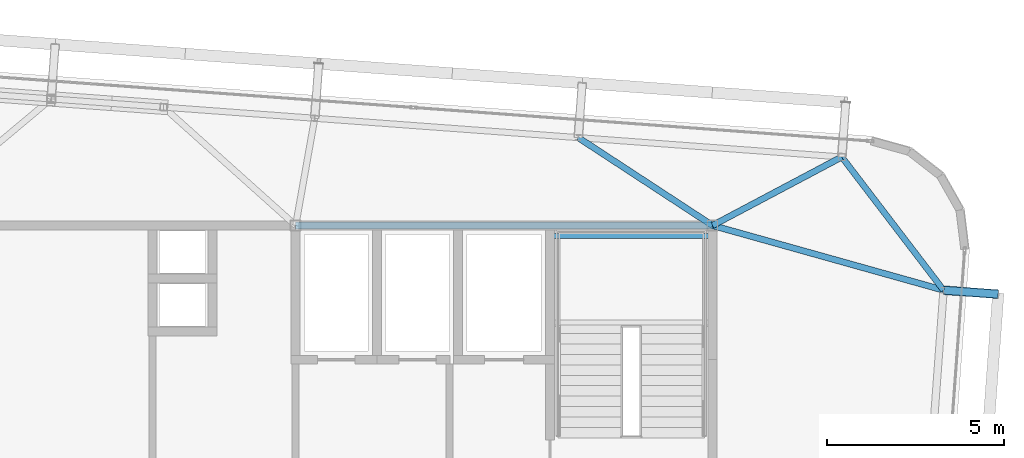
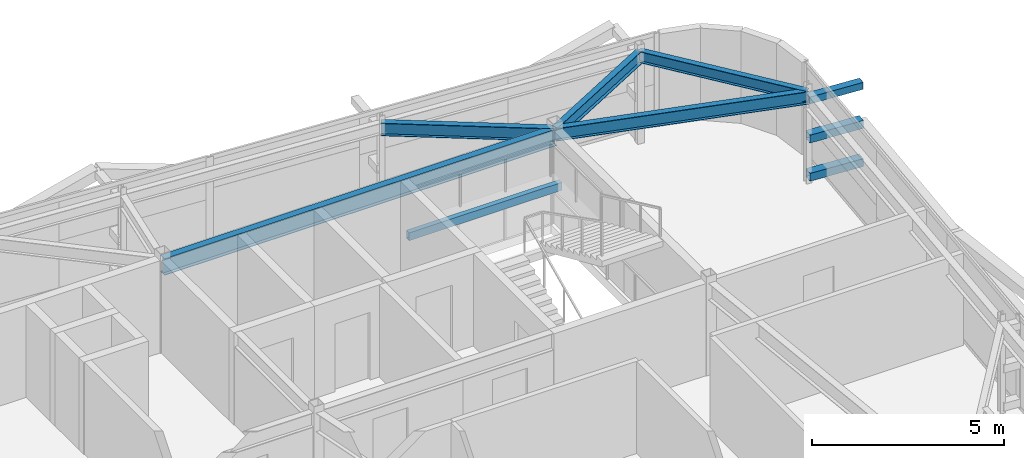
# One storey, part 18 of 35: 6 beams, 3 members.
"""IFC4 building model written with IfcOpenShell, lengths in metres."""

from ifc_helpers import new_model, si_unit, direction, frame, origin, origin_2d, place, context, subcontext, project, spatial, hollow_rectangle, i_section, extrude, source, transform, mapped, material, material_profile, profile_set, type_object, element, save


model = new_model("IFC4")

# Units and contexts
model_context = context("Model", 3, precision=1e-05, world=origin(), true_north=direction((0.0, 1.0)))
body_context = subcontext(model_context, "Body", "Model", "MODEL_VIEW")
ifc_project = project(units=[si_unit("LENGTHUNIT", "METRE"), si_unit("AREAUNIT", "SQUARE_METRE"), si_unit("VOLUMEUNIT", "CUBIC_METRE"), si_unit("PLANEANGLEUNIT", "RADIAN"), si_unit("MASSUNIT", "GRAM", prefix="KILO")], contexts=[model_context])

# Site, building, storey
site_placement = place(None, origin())
site = spatial("IfcSite", under=ifc_project, at=site_placement, CompositionType="ELEMENT")
building_placement = place(site_placement, origin())
building = spatial("IfcBuilding", under=site, at=building_placement, Name="Taldren Reach Tower", CompositionType="ELEMENT")
storey_placement = place(building_placement, frame((0.0, 0.0, 236.60009765625)))
storey = spatial("IfcBuildingStorey", under=building, at=storey_placement, Name="L72", CompositionType="ELEMENT", Elevation=236.60009765625)

# Beams
ifc_material_1 = material(Name="Steel Gr 350 (350PLUS)", Category="steel")
ifc_material_profile_1 = material_profile(ifc_material_1, i_section(OverallWidth=0.208984375, OverallDepth=0.532958984375, WebThickness=0.01025390625, FlangeThickness=0.015625, at=origin_2d()), Name="530UB92.4")
ifc_profile_set_1 = profile_set([ifc_material_profile_1], Name="Steel Gr 350 (350PLUS)")
beam_type_1 = type_object("IfcBeamType", Name="BM-UB530A", PredefinedType="BEAM", material=ifc_profile_set_1)
shared_shape_1 = source(origin(), body_context, "Body", "SweptSolid", [
    extrude(i_section(OverallWidth=0.208984375, OverallDepth=0.532958984375, WebThickness=0.01025390625, FlangeThickness=0.015625, at=origin_2d()), origin(), (0.0, 0.0, 1.0), 11.800048828125),
])
beam_1_placement = place(storey_placement, frame((39.199951171875, 32.0, 2.663330078125), z_axis=(1.0, 0.0, 0.0), x_axis=(0.0, 1.0, 0.0)))
element("IfcBeam", 1, at=beam_1_placement, inside=storey, type_object=beam_type_1, Name="Core-spine girder L72-SP06", PredefinedType="BEAM", context=body_context, shape_type="MappedRepresentation", body=[
    mapped(shared_shape_1, transform((0.0, 0.0, 0.0), scale=1.0)),
])
ifc_material_profile_2 = material_profile(ifc_material_1, i_section(OverallWidth=0.172119140625, OverallDepth=0.35888671875, WebThickness=0.008056640625, FlangeThickness=0.012939453125, at=origin_2d()), Name="360UB56.7")
ifc_profile_set_2 = profile_set([ifc_material_profile_2], Name="Steel Gr 350 (350PLUS)")
beam_type_2 = type_object("IfcBeamType", Name="SP-UB360", PredefinedType="SPANDREL", material=ifc_profile_set_2)
shared_shape_2 = source(origin(), body_context, "Body", "SweptSolid", [
    extrude(i_section(OverallWidth=0.172119140625, OverallDepth=0.35888671875, WebThickness=0.008056640625, FlangeThickness=0.012939453125, at=origin_2d()), origin(), (0.0, 0.0, 1.0), 4.745849609375),
])
beam_2_placement = place(storey_placement, frame((57.540771484375, 30.168701171875, 2.75048828125), z_axis=(-0.607136906115, 0.79459724215, 0.0), x_axis=(-0.79459724215, -0.607136906115, 0.0)))
element("IfcBeam", 2, at=beam_2_placement, inside=storey, type_object=beam_type_2, Name="Perimeter spandrel B5 E3-N6 L72", PredefinedType="SPANDREL", context=body_context, shape_type="MappedRepresentation", body=[
    mapped(shared_shape_2, transform((0.0, 0.0, 0.0), scale=1.0)),
])
ifc_material_profile_3 = material_profile(ifc_material_1, i_section(OverallWidth=0.177978515625, OverallDepth=0.406005859375, WebThickness=0.0078125, FlangeThickness=0.0126953125, at=origin_2d()), Name="410UB59.7")
ifc_profile_set_3 = profile_set([ifc_material_profile_3], Name="Steel Gr 350 (350PLUS)")
beam_type_3 = type_object("IfcBeamType", Name="BM-UB410", PredefinedType="BEAM", material=ifc_profile_set_3)
shared_shape_3 = source(origin(), body_context, "Body", "SweptSolid", [
    extrude(i_section(OverallWidth=0.177978515625, OverallDepth=0.406005859375, WebThickness=0.0078125, FlangeThickness=0.0126953125, at=origin_2d()), origin(), (0.0, 0.0, 1.0), 6.792236328125),
])
beam_3_placement = place(storey_placement, frame((51.0, 32.0, 2.726806640625), z_axis=(0.962968499215, -0.269613926789, 0.0), x_axis=(0.269613926789, 0.962968499215, 0.0)))
element("IfcBeam", 3, at=beam_3_placement, inside=storey, type_object=beam_type_3, Name="Primary floor girder B5-E3 L72", PredefinedType="BEAM", context=body_context, shape_type="MappedRepresentation", body=[
    mapped(shared_shape_3, transform((0.0, 0.0, 0.0), scale=1.0)),
])
shared_shape_4 = source(origin(), body_context, "Body", "SweptSolid", [
    extrude(i_section(OverallWidth=0.177978515625, OverallDepth=0.406005859375, WebThickness=0.0078125, FlangeThickness=0.0126953125, at=origin_2d()), origin(), (0.0, 0.0, 1.0), 4.1416015625),
])
beam_4_placement = place(storey_placement, frame((51.0, 32.0, 2.726806640625), z_axis=(0.883552655042, 0.468331832965, 0.0), x_axis=(-0.468331832965, 0.883552655042, 0.0)))
element("IfcBeam", 4, at=beam_4_placement, inside=storey, type_object=beam_type_3, Name="Primary floor girder B5-N6 L72", PredefinedType="BEAM", context=body_context, shape_type="MappedRepresentation", body=[
    mapped(shared_shape_4, transform((0.0, 0.0, 0.0), scale=1.0)),
])
shared_shape_5 = source(origin(), body_context, "Body", "SweptSolid", [
    extrude(i_section(OverallWidth=0.177978515625, OverallDepth=0.406005859375, WebThickness=0.0078125, FlangeThickness=0.0126953125, at=origin_2d()), origin(), (0.0, 0.0, 1.0), 4.542236328125),
])
beam_5_placement = place(storey_placement, frame((51.0, 32.0, 2.726806640625), z_axis=(-0.836709129479, 0.547647544181, 0.0), x_axis=(-0.547647544181, -0.836709129479, 0.0)))
element("IfcBeam", 5, at=beam_5_placement, inside=storey, type_object=beam_type_3, Name="Primary floor girder B5-N5 L72", PredefinedType="BEAM", context=body_context, shape_type="MappedRepresentation", body=[
    mapped(shared_shape_5, transform((0.0, 0.0, 0.0), scale=1.0)),
])

# Members
ifc_material_2 = material(Name="Steel Gr 450 (C450L0)", Category="steel")
ifc_material_profile_4 = material_profile(ifc_material_2, hollow_rectangle(XDim=0.219970703125, YDim=0.219970703125, WallThickness=0.00830078125, at=origin_2d()), Name="220x220x8.2SHS")
ifc_profile_set_4 = profile_set([ifc_material_profile_4], Name="Steel Gr 450 (C450L0)")
member_type_1 = type_object("IfcMemberType", Name="MB-TIE219", PredefinedType="STRUT", material=ifc_profile_set_4)
shared_shape_6 = source(origin(), body_context, "Body", "SweptSolid", [
    extrude(hollow_rectangle(XDim=0.219970703125, YDim=0.219970703125, WallThickness=0.00830078125, at=origin_2d()), origin(), (0.0, 0.0, 1.0), 1.5458984375),
])
member_placement = place(storey_placement, frame((57.544921875, 30.168212890625, 2.64990234375), z_axis=(0.99732305975, -0.073121231459, 0.0), x_axis=(0.073121231459, 0.99732305975, 0.0)))
element("IfcMember", 6, at=member_placement, inside=storey, type_object=member_type_1, Name="Exoskeleton diaphragm tie strut B5-E3 L72", PredefinedType="STRUT", context=body_context, shape_type="MappedRepresentation", body=[
    mapped(shared_shape_6, transform((0.0, 0.0, 0.0), scale=1.0)),
])
ifc_material_3 = material(Name="Steel Gr 350 (C350L0)", Category="steel")
ifc_material_profile_5 = material_profile(ifc_material_3, hollow_rectangle(XDim=0.25, YDim=0.25, WallThickness=0.010009765625, at=origin_2d()), Name="250x250x10.0SHS")
ifc_profile_set_5 = profile_set([ifc_material_profile_5], Name="Steel Gr 350 (C350L0)")
member_type_2 = type_object("IfcMemberType", Name="MB-POST250", PredefinedType="POST", material=ifc_profile_set_5)
shared_shape_7 = source(origin(), body_context, "Body", "SweptSolid", [
    extrude(hollow_rectangle(XDim=0.25, YDim=0.25, WallThickness=0.010009765625, at=origin_2d()), origin(), (0.0, 0.0, 1.0), 1.5458984375),
])
for number, where, z_axis, x_axis, name in (
    (7, (57.544921875, 30.168212890625, 0.219970703125), (0.99732305975, -0.073121231459, 0.0), (0.073121231459, 0.99732305975, 0.0), "Exoskeleton base diaphragm tie strut B5-E3 L72"),
    (8, (57.544921875, 30.168212890625, 1.434814453125), (0.99732305975, -0.073121231459, 0.0), (0.073121231459, 0.99732305975, 0.0), "Exoskeleton mid-tier diaphragm tie B5-E3 L72"),
):
    element("IfcMember", number, at=place(storey_placement, frame(where, z_axis=z_axis, x_axis=x_axis)), inside=storey, type_object=member_type_2, Name=name, PredefinedType="POST", context=body_context, shape_type="MappedRepresentation", body=[
        mapped(shared_shape_7, transform((0.0, 0.0, 0.0), scale=1.0)),
    ])

# Beam
ifc_material_profile_6 = material_profile(ifc_material_3, hollow_rectangle(XDim=0.14990234375, YDim=0.25, WallThickness=0.009033203125, at=origin_2d()), Name="250x150x9.0RHS")
ifc_profile_set_6 = profile_set([ifc_material_profile_6], Name="Steel Gr 350 (C350L0)")
beam_type_4 = type_object("IfcBeamType", Name="LN-RHS250", PredefinedType="LINTEL", material=ifc_profile_set_6)
shared_shape_8 = source(origin(), body_context, "Body", "SweptSolid", [
    extrude(hollow_rectangle(XDim=0.14990234375, YDim=0.25, WallThickness=0.009033203125, at=origin_2d()), origin(), (0.0, 0.0, 1.0), 4.60009765625),
])
beam_6_placement = place(storey_placement, frame((46.39990234375, 31.699951171875, 1.27001953125), z_axis=(1.0, 0.0, 0.0), x_axis=(0.0, 1.0, 0.0)))
element("IfcBeam", 9, at=beam_6_placement, inside=storey, type_object=beam_type_4, Name="Stair half-landing support beam ST2-L72-2", PredefinedType="LINTEL", context=body_context, shape_type="MappedRepresentation", body=[
    mapped(shared_shape_8, transform((0.0, 0.0, 0.0), scale=1.0)),
])

save(model, "model.ifc")
